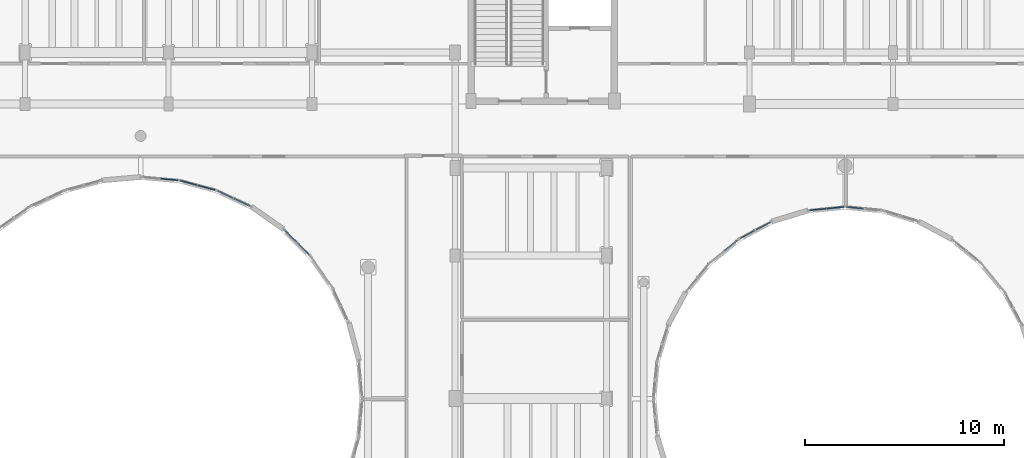
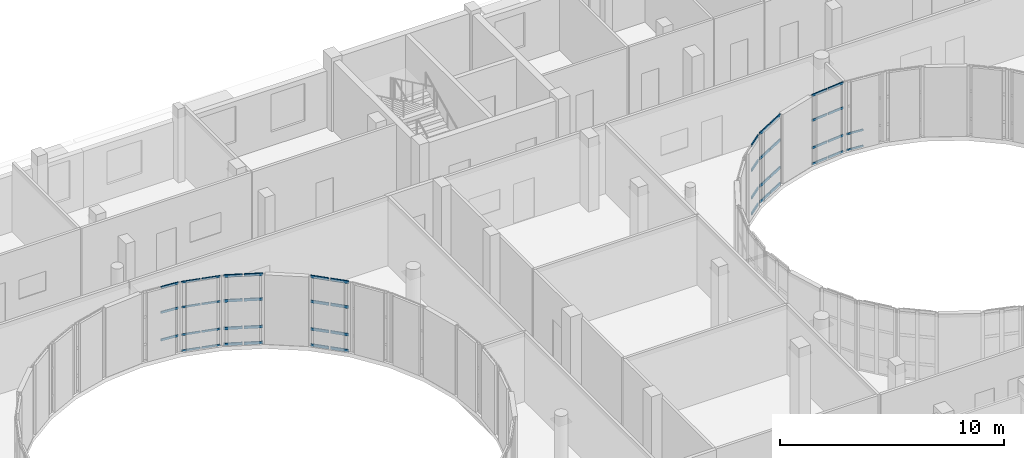
# One storey, part 59 of 105: 49 members, 8 elements without a shape of their own.
"""IFC4 building model written with IfcOpenShell, lengths in metres."""

from ifc_helpers import new_model, si_unit, direction, frame, origin, origin_2d, place, context, subcontext, project, spatial, hollow_rectangle, extrude, material, layer, layer_set, material_profile, profile_set, type_object, element, aggregate, save


model = new_model("IFC4")

# Units and contexts
model_context = context("Model", 3, precision=1e-05, world=origin(), true_north=direction((0.0, 1.0)))
body_context = subcontext(model_context, "Body", "Model", "MODEL_VIEW")
ifc_project = project(units=[si_unit("LENGTHUNIT", "METRE"), si_unit("AREAUNIT", "SQUARE_METRE"), si_unit("VOLUMEUNIT", "CUBIC_METRE"), si_unit("PLANEANGLEUNIT", "RADIAN"), si_unit("MASSUNIT", "GRAM", prefix="KILO")], contexts=[model_context])

# Site, building, storey
site_placement = place(None, origin())
site = spatial("IfcSite", under=ifc_project, at=site_placement, CompositionType="ELEMENT")
building_placement = place(site_placement, origin())
building = spatial("IfcBuilding", under=site, at=building_placement, Name="Kelanivale Promenade Academy", CompositionType="ELEMENT")
storey_placement = place(building_placement, frame((0.0, 0.0, 4.199951171875)))
storey = spatial("IfcBuildingStorey", under=building, at=storey_placement, Name="L01", CompositionType="ELEMENT", Elevation=4.199951171875)

# Curtain wall, members
ifc_material_1 = material(Name="Bronze anodised aluminium and solar-control low-E glass", Category="aluminium")
ifc_layer_1 = layer(ifc_material_1, 0.159912109375)
ifc_layer_set_1 = layer_set([ifc_layer_1], Name="Bronze anodised aluminium and solar-control low-E glass")
curtain_wall_type_1 = type_object("IfcCurtainWallType", Name="CW-09 Curtain Wall 1650mm Module", PredefinedType="USERDEFINED", material=ifc_layer_set_1)
curtain_wall_1_placement = place(storey_placement, origin())
curtain_wall_1 = element("IfcCurtainWall", 1, at=curtain_wall_1_placement, inside=storey, type_object=curtain_wall_type_1, Name="L01 courtyard curtain wall CW-09", ObjectType="UNITISED GLAZING", PredefinedType="USERDEFINED")
ifc_material_2 = material(Name="Bronze anodised aluminium EN AW-6063 T6", Category="aluminium")
ifc_material_profile_1 = material_profile(ifc_material_2, hollow_rectangle(XDim=0.050048828125, YDim=0.10009765625, WallThickness=0.0029296875, at=origin_2d()), Name="ALU 50x100x3.0")
ifc_profile_set_1 = profile_set([ifc_material_profile_1], Name="Bronze anodised aluminium EN AW-6063 T6")
member_type_1 = type_object("IfcMemberType", Name="CWT-01 ALU 50x100x3.0", PredefinedType="USERDEFINED", material=ifc_profile_set_1)
member_1_placement = place(storey_placement, frame((99.710693359375, 66.350341796875, 0.025146484375), z_axis=(-0.995145812266, 0.098411444095, 0.0), x_axis=(-0.098411444095, -0.995145812266, 0.0)))
member_1 = element("IfcMember", 2, at=member_1_placement, type_object=member_type_1, Name="CW-09 transom 2.1", ObjectType="TRANSOM", PredefinedType="USERDEFINED", context=body_context, shape_type="SweptSolid", body=[
    extrude(hollow_rectangle(XDim=0.050048828125, YDim=0.10009765625, WallThickness=0.0029296875, at=origin_2d()), origin(), (0.0, 0.0, 1.0), 0.841064453125),
])
member_2_placement = place(storey_placement, frame((99.710693359375, 66.350341796875, 0.900146484375), z_axis=(-0.995145812266, 0.098411444095, 0.0), x_axis=(-0.098411444095, -0.995145812266, 0.0)))
member_2 = element("IfcMember", 3, at=member_2_placement, type_object=member_type_1, Name="CW-09 transom 2.2", ObjectType="TRANSOM", PredefinedType="USERDEFINED", context=body_context, shape_type="SweptSolid", body=[
    extrude(hollow_rectangle(XDim=0.050048828125, YDim=0.10009765625, WallThickness=0.0029296875, at=origin_2d()), origin(), (0.0, 0.0, 1.0), 0.841064453125),
])
aggregate(curtain_wall_1, [member_1, member_2])

curtain_wall_2_placement = place(storey_placement, origin())
curtain_wall_2 = element("IfcCurtainWall", 4, at=curtain_wall_2_placement, inside=storey, type_object=curtain_wall_type_1, Name="L01 courtyard curtain wall CW-09", ObjectType="UNITISED GLAZING", PredefinedType="USERDEFINED")
member_3_placement = place(storey_placement, frame((67.14013671875, 67.28759765625, 0.025146484375), z_axis=(-0.965991939644, 0.258572180527, 0.0), x_axis=(-0.258572180527, -0.965991939644, 0.0)))
member_3 = element("IfcMember", 5, at=member_3_placement, type_object=member_type_1, Name="CW-09 transom 1.1", ObjectType="TRANSOM", PredefinedType="USERDEFINED", context=body_context, shape_type="SweptSolid", body=[
    extrude(hollow_rectangle(XDim=0.050048828125, YDim=0.10009765625, WallThickness=0.0029296875, at=origin_2d()), origin(), (0.0, 0.0, 1.0), 0.86865234375),
])
member_4_placement = place(storey_placement, frame((67.14013671875, 67.28759765625, 0.900146484375), z_axis=(-0.965991939644, 0.258572180527, 0.0), x_axis=(-0.258572180527, -0.965991939644, 0.0)))
member_4 = element("IfcMember", 6, at=member_4_placement, type_object=member_type_1, Name="CW-09 transom 1.2", ObjectType="TRANSOM", PredefinedType="USERDEFINED", context=body_context, shape_type="SweptSolid", body=[
    extrude(hollow_rectangle(XDim=0.050048828125, YDim=0.10009765625, WallThickness=0.0029296875, at=origin_2d()), origin(), (0.0, 0.0, 1.0), 0.86865234375),
])
member_5_placement = place(storey_placement, frame((67.14013671875, 67.28759765625, 2.400146484375), z_axis=(-0.965991939644, 0.258572180527, 0.0), x_axis=(-0.258572180527, -0.965991939644, 0.0)))
member_5 = element("IfcMember", 7, at=member_5_placement, type_object=member_type_1, Name="CW-09 transom 1.3", ObjectType="TRANSOM", PredefinedType="USERDEFINED", context=body_context, shape_type="SweptSolid", body=[
    extrude(hollow_rectangle(XDim=0.050048828125, YDim=0.10009765625, WallThickness=0.0029296875, at=origin_2d()), origin(), (0.0, 0.0, 1.0), 0.86865234375),
])
member_6_placement = place(storey_placement, frame((67.14013671875, 67.28759765625, 3.755126953125), z_axis=(-0.965991939644, 0.258572180527, 0.0), x_axis=(-0.258572180527, -0.965991939644, 0.0)))
member_6 = element("IfcMember", 8, at=member_6_placement, type_object=member_type_1, Name="CW-09 transom 1.4", ObjectType="TRANSOM", PredefinedType="USERDEFINED", context=body_context, shape_type="SweptSolid", body=[
    extrude(hollow_rectangle(XDim=0.050048828125, YDim=0.10009765625, WallThickness=0.0029296875, at=origin_2d()), origin(), (0.0, 0.0, 1.0), 0.86865234375),
])
member_7_placement = place(storey_placement, frame((66.242919921875, 67.52783203125, 0.025146484375), z_axis=(-0.965973140657, 0.258642400874, 0.0), x_axis=(-0.258642400874, -0.965973140657, 0.0)))
member_7 = element("IfcMember", 9, at=member_7_placement, type_object=member_type_1, Name="CW-09 transom 2.1", ObjectType="TRANSOM", PredefinedType="USERDEFINED", context=body_context, shape_type="SweptSolid", body=[
    extrude(hollow_rectangle(XDim=0.050048828125, YDim=0.10009765625, WallThickness=0.0029296875, at=origin_2d()), origin(), (0.0, 0.0, 1.0), 0.868408203125),
])
member_8_placement = place(storey_placement, frame((66.242919921875, 67.52783203125, 0.900146484375), z_axis=(-0.965973140657, 0.258642400874, 0.0), x_axis=(-0.258642400874, -0.965973140657, 0.0)))
member_8 = element("IfcMember", 10, at=member_8_placement, type_object=member_type_1, Name="CW-09 transom 2.2", ObjectType="TRANSOM", PredefinedType="USERDEFINED", context=body_context, shape_type="SweptSolid", body=[
    extrude(hollow_rectangle(XDim=0.050048828125, YDim=0.10009765625, WallThickness=0.0029296875, at=origin_2d()), origin(), (0.0, 0.0, 1.0), 0.868408203125),
])
member_9_placement = place(storey_placement, frame((66.242919921875, 67.52783203125, 2.400146484375), z_axis=(-0.965973140657, 0.258642400874, 0.0), x_axis=(-0.258642400874, -0.965973140657, 0.0)))
member_9 = element("IfcMember", 11, at=member_9_placement, type_object=member_type_1, Name="CW-09 transom 2.3", ObjectType="TRANSOM", PredefinedType="USERDEFINED", context=body_context, shape_type="SweptSolid", body=[
    extrude(hollow_rectangle(XDim=0.050048828125, YDim=0.10009765625, WallThickness=0.0029296875, at=origin_2d()), origin(), (0.0, 0.0, 1.0), 0.868408203125),
])
member_10_placement = place(storey_placement, frame((66.242919921875, 67.52783203125, 3.755126953125), z_axis=(-0.965973140657, 0.258642400874, 0.0), x_axis=(-0.258642400874, -0.965973140657, 0.0)))
member_10 = element("IfcMember", 12, at=member_10_placement, type_object=member_type_1, Name="CW-09 transom 2.4", ObjectType="TRANSOM", PredefinedType="USERDEFINED", context=body_context, shape_type="SweptSolid", body=[
    extrude(hollow_rectangle(XDim=0.050048828125, YDim=0.10009765625, WallThickness=0.0029296875, at=origin_2d()), origin(), (0.0, 0.0, 1.0), 0.868408203125),
])
aggregate(curtain_wall_2, [member_3, member_4, member_5, member_6, member_7, member_8, member_9, member_10])

ifc_layer_2 = layer(ifc_material_1, 0.169921875)
ifc_layer_set_2 = layer_set([ifc_layer_2], Name="Bronze anodised aluminium and solar-control low-E glass")
curtain_wall_type_2 = type_object("IfcCurtainWallType", Name="CW-10 Curtain Wall 1800mm Module", PredefinedType="USERDEFINED", material=ifc_layer_set_2)
curtain_wall_3_placement = place(storey_placement, origin())
curtain_wall_3 = element("IfcCurtainWall", 13, at=curtain_wall_3_placement, inside=storey, type_object=curtain_wall_type_2, Name="L01 courtyard curtain wall CW-10", ObjectType="UNITISED GLAZING", PredefinedType="USERDEFINED")
ifc_material_profile_2 = material_profile(ifc_material_2, hollow_rectangle(XDim=0.050048828125, YDim=0.1201171875, WallThickness=0.0029296875, at=origin_2d()), Name="ALU 50x120x3.0")
ifc_profile_set_2 = profile_set([ifc_material_profile_2], Name="Bronze anodised aluminium EN AW-6063 T6")
member_type_2 = type_object("IfcMemberType", Name="CWT-02 ALU 50x120x3.0", PredefinedType="USERDEFINED", material=ifc_profile_set_2)
member_11_placement = place(storey_placement, frame((98.726318359375, 66.43310546875, 0.025146484375), z_axis=(-0.995143929023, -0.098430485767, 0.0), x_axis=(0.098430485767, -0.995143929023, 0.0)))
member_11 = element("IfcMember", 14, at=member_11_placement, type_object=member_type_2, Name="CW-10 transom 1.1", ObjectType="TRANSOM", PredefinedType="USERDEFINED", context=body_context, shape_type="SweptSolid", body=[
    extrude(hollow_rectangle(XDim=0.050048828125, YDim=0.1201171875, WallThickness=0.0029296875, at=origin_2d()), origin(), (0.0, 0.0, 1.0), 0.83349609375),
])
member_12_placement = place(storey_placement, frame((98.726318359375, 66.43310546875, 0.900146484375), z_axis=(-0.995143929023, -0.098430485767, 0.0), x_axis=(0.098430485767, -0.995143929023, 0.0)))
member_12 = element("IfcMember", 15, at=member_12_placement, type_object=member_type_2, Name="CW-10 transom 1.2", ObjectType="TRANSOM", PredefinedType="USERDEFINED", context=body_context, shape_type="SweptSolid", body=[
    extrude(hollow_rectangle(XDim=0.050048828125, YDim=0.1201171875, WallThickness=0.0029296875, at=origin_2d()), origin(), (0.0, 0.0, 1.0), 0.83349609375),
])
member_13_placement = place(storey_placement, frame((98.726318359375, 66.43310546875, 2.400146484375), z_axis=(-0.995143929023, -0.098430485767, 0.0), x_axis=(0.098430485767, -0.995143929023, 0.0)))
member_13 = element("IfcMember", 16, at=member_13_placement, type_object=member_type_2, Name="CW-10 transom 1.3", ObjectType="TRANSOM", PredefinedType="USERDEFINED", context=body_context, shape_type="SweptSolid", body=[
    extrude(hollow_rectangle(XDim=0.050048828125, YDim=0.1201171875, WallThickness=0.0029296875, at=origin_2d()), origin(), (0.0, 0.0, 1.0), 0.83349609375),
])
member_14_placement = place(storey_placement, frame((98.726318359375, 66.43310546875, 3.755126953125), z_axis=(-0.995143929023, -0.098430485767, 0.0), x_axis=(0.098430485767, -0.995143929023, 0.0)))
member_14 = element("IfcMember", 17, at=member_14_placement, type_object=member_type_2, Name="CW-10 transom 1.4", ObjectType="TRANSOM", PredefinedType="USERDEFINED", context=body_context, shape_type="SweptSolid", body=[
    extrude(hollow_rectangle(XDim=0.050048828125, YDim=0.1201171875, WallThickness=0.0029296875, at=origin_2d()), origin(), (0.0, 0.0, 1.0), 0.83349609375),
])
member_15_placement = place(storey_placement, frame((97.837158203125, 66.344970703125, 0.025146484375), z_axis=(-0.995143929023, -0.098430485767, 0.0), x_axis=(0.098430485767, -0.995143929023, 0.0)))
member_15 = element("IfcMember", 18, at=member_15_placement, type_object=member_type_2, Name="CW-10 transom 2.1", ObjectType="TRANSOM", PredefinedType="USERDEFINED", context=body_context, shape_type="SweptSolid", body=[
    extrude(hollow_rectangle(XDim=0.050048828125, YDim=0.1201171875, WallThickness=0.0029296875, at=origin_2d()), origin(), (0.0, 0.0, 1.0), 0.83349609375),
])
member_16_placement = place(storey_placement, frame((97.837158203125, 66.344970703125, 0.900146484375), z_axis=(-0.995143929023, -0.098430485767, 0.0), x_axis=(0.098430485767, -0.995143929023, 0.0)))
member_16 = element("IfcMember", 19, at=member_16_placement, type_object=member_type_2, Name="CW-10 transom 2.2", ObjectType="TRANSOM", PredefinedType="USERDEFINED", context=body_context, shape_type="SweptSolid", body=[
    extrude(hollow_rectangle(XDim=0.050048828125, YDim=0.1201171875, WallThickness=0.0029296875, at=origin_2d()), origin(), (0.0, 0.0, 1.0), 0.83349609375),
])
member_17_placement = place(storey_placement, frame((97.837158203125, 66.344970703125, 2.400146484375), z_axis=(-0.995143929023, -0.098430485767, 0.0), x_axis=(0.098430485767, -0.995143929023, 0.0)))
member_17 = element("IfcMember", 20, at=member_17_placement, type_object=member_type_2, Name="CW-10 transom 2.3", ObjectType="TRANSOM", PredefinedType="USERDEFINED", context=body_context, shape_type="SweptSolid", body=[
    extrude(hollow_rectangle(XDim=0.050048828125, YDim=0.1201171875, WallThickness=0.0029296875, at=origin_2d()), origin(), (0.0, 0.0, 1.0), 0.83349609375),
])
member_18_placement = place(storey_placement, frame((97.837158203125, 66.344970703125, 3.755126953125), z_axis=(-0.995143929023, -0.098430485767, 0.0), x_axis=(0.098430485767, -0.995143929023, 0.0)))
member_18 = element("IfcMember", 21, at=member_18_placement, type_object=member_type_2, Name="CW-10 transom 2.4", ObjectType="TRANSOM", PredefinedType="USERDEFINED", context=body_context, shape_type="SweptSolid", body=[
    extrude(hollow_rectangle(XDim=0.050048828125, YDim=0.1201171875, WallThickness=0.0029296875, at=origin_2d()), origin(), (0.0, 0.0, 1.0), 0.83349609375),
])
aggregate(curtain_wall_3, [member_11, member_12, member_13, member_14, member_15, member_16, member_17, member_18])

curtain_wall_4_placement = place(storey_placement, origin())
curtain_wall_4 = element("IfcCurtainWall", 22, at=curtain_wall_4_placement, inside=storey, type_object=curtain_wall_type_2, Name="L01 courtyard curtain wall CW-10", ObjectType="UNITISED GLAZING", PredefinedType="USERDEFINED")
member_19_placement = place(storey_placement, frame((65.26220703125, 67.77734375, 0.900146484375), z_axis=(-0.996205401814, 0.087033311997, 0.0), x_axis=(-0.087033311997, -0.996205401814, 0.0)))
member_19 = element("IfcMember", 23, at=member_19_placement, type_object=member_type_2, Name="CW-10 transom 1.2", ObjectType="TRANSOM", PredefinedType="USERDEFINED", context=body_context, shape_type="SweptSolid", body=[
    extrude(hollow_rectangle(XDim=0.050048828125, YDim=0.1201171875, WallThickness=0.0029296875, at=origin_2d()), origin(), (0.0, 0.0, 1.0), 0.861083984375),
])
member_20_placement = place(storey_placement, frame((65.26220703125, 67.77734375, 2.400146484375), z_axis=(-0.996205401814, 0.087033311997, 0.0), x_axis=(-0.087033311997, -0.996205401814, 0.0)))
member_20 = element("IfcMember", 24, at=member_20_placement, type_object=member_type_2, Name="CW-10 transom 1.3", ObjectType="TRANSOM", PredefinedType="USERDEFINED", context=body_context, shape_type="SweptSolid", body=[
    extrude(hollow_rectangle(XDim=0.050048828125, YDim=0.1201171875, WallThickness=0.0029296875, at=origin_2d()), origin(), (0.0, 0.0, 1.0), 0.861083984375),
])
member_21_placement = place(storey_placement, frame((65.26220703125, 67.77734375, 3.755126953125), z_axis=(-0.996205401814, 0.087033311997, 0.0), x_axis=(-0.087033311997, -0.996205401814, 0.0)))
member_21 = element("IfcMember", 25, at=member_21_placement, type_object=member_type_2, Name="CW-10 transom 1.4", ObjectType="TRANSOM", PredefinedType="USERDEFINED", context=body_context, shape_type="SweptSolid", body=[
    extrude(hollow_rectangle(XDim=0.050048828125, YDim=0.1201171875, WallThickness=0.0029296875, at=origin_2d()), origin(), (0.0, 0.0, 1.0), 0.861083984375),
])
aggregate(curtain_wall_4, [member_19, member_20, member_21])

ifc_layer_3 = layer(ifc_material_1, 0.179931640625)
ifc_layer_set_3 = layer_set([ifc_layer_3], Name="Bronze anodised aluminium and solar-control low-E glass")
curtain_wall_type_3 = type_object("IfcCurtainWallType", Name="CW-11 Curtain Wall 1950mm Module", PredefinedType="USERDEFINED", material=ifc_layer_set_3)
curtain_wall_5_placement = place(storey_placement, origin())
curtain_wall_5 = element("IfcCurtainWall", 26, at=curtain_wall_5_placement, inside=storey, type_object=curtain_wall_type_3, Name="L01 courtyard curtain wall CW-11", ObjectType="UNITISED GLAZING", PredefinedType="USERDEFINED")
ifc_material_profile_3 = material_profile(ifc_material_2, hollow_rectangle(XDim=0.050048828125, YDim=0.14990234375, WallThickness=0.00341796875, at=origin_2d()), Name="ALU 50x150x3.5")
ifc_profile_set_3 = profile_set([ifc_material_profile_3], Name="Bronze anodised aluminium EN AW-6063 T6")
member_type_3 = type_object("IfcMemberType", Name="CWT-03 ALU 50x150x3.5", PredefinedType="USERDEFINED", material=ifc_profile_set_3)
member_22_placement = place(storey_placement, frame((95.028564453125, 65.662353515625, 0.025146484375), z_axis=(-0.881927434659, -0.471385192805, 0.0), x_axis=(0.471385192805, -0.881927434659, 0.0)))
member_22 = element("IfcMember", 27, at=member_22_placement, type_object=member_type_3, Name="CW-11 transom 1.1", ObjectType="TRANSOM", PredefinedType="USERDEFINED", context=body_context, shape_type="SweptSolid", body=[
    extrude(hollow_rectangle(XDim=0.050048828125, YDim=0.14990234375, WallThickness=0.00341796875, at=origin_2d()), origin(), (0.0, 0.0, 1.0), 0.82666015625),
])
member_23_placement = place(storey_placement, frame((95.028564453125, 65.662353515625, 0.900146484375), z_axis=(-0.881927434659, -0.471385192805, 0.0), x_axis=(0.471385192805, -0.881927434659, 0.0)))
member_23 = element("IfcMember", 28, at=member_23_placement, type_object=member_type_3, Name="CW-11 transom 1.2", ObjectType="TRANSOM", PredefinedType="USERDEFINED", context=body_context, shape_type="SweptSolid", body=[
    extrude(hollow_rectangle(XDim=0.050048828125, YDim=0.14990234375, WallThickness=0.00341796875, at=origin_2d()), origin(), (0.0, 0.0, 1.0), 0.82666015625),
])
member_24_placement = place(storey_placement, frame((95.028564453125, 65.662353515625, 2.400146484375), z_axis=(-0.881927434659, -0.471385192805, 0.0), x_axis=(0.471385192805, -0.881927434659, 0.0)))
member_24 = element("IfcMember", 29, at=member_24_placement, type_object=member_type_3, Name="CW-11 transom 1.3", ObjectType="TRANSOM", PredefinedType="USERDEFINED", context=body_context, shape_type="SweptSolid", body=[
    extrude(hollow_rectangle(XDim=0.050048828125, YDim=0.14990234375, WallThickness=0.00341796875, at=origin_2d()), origin(), (0.0, 0.0, 1.0), 0.82666015625),
])
member_25_placement = place(storey_placement, frame((95.028564453125, 65.662353515625, 3.755126953125), z_axis=(-0.881927434659, -0.471385192805, 0.0), x_axis=(0.471385192805, -0.881927434659, 0.0)))
member_25 = element("IfcMember", 30, at=member_25_placement, type_object=member_type_3, Name="CW-11 transom 1.4", ObjectType="TRANSOM", PredefinedType="USERDEFINED", context=body_context, shape_type="SweptSolid", body=[
    extrude(hollow_rectangle(XDim=0.050048828125, YDim=0.14990234375, WallThickness=0.00341796875, at=origin_2d()), origin(), (0.0, 0.0, 1.0), 0.82666015625),
])
member_26_placement = place(storey_placement, frame((94.242431640625, 65.2421875, 0.025146484375), z_axis=(-0.881927434659, -0.471385192805, 0.0), x_axis=(0.471385192805, -0.881927434659, 0.0)))
member_26 = element("IfcMember", 31, at=member_26_placement, type_object=member_type_3, Name="CW-11 transom 2.1", ObjectType="TRANSOM", PredefinedType="USERDEFINED", context=body_context, shape_type="SweptSolid", body=[
    extrude(hollow_rectangle(XDim=0.050048828125, YDim=0.14990234375, WallThickness=0.00341796875, at=origin_2d()), origin(), (0.0, 0.0, 1.0), 0.82666015625),
])
member_27_placement = place(storey_placement, frame((94.242431640625, 65.2421875, 0.900146484375), z_axis=(-0.881927434659, -0.471385192805, 0.0), x_axis=(0.471385192805, -0.881927434659, 0.0)))
member_27 = element("IfcMember", 32, at=member_27_placement, type_object=member_type_3, Name="CW-11 transom 2.2", ObjectType="TRANSOM", PredefinedType="USERDEFINED", context=body_context, shape_type="SweptSolid", body=[
    extrude(hollow_rectangle(XDim=0.050048828125, YDim=0.14990234375, WallThickness=0.00341796875, at=origin_2d()), origin(), (0.0, 0.0, 1.0), 0.82666015625),
])
member_28_placement = place(storey_placement, frame((94.242431640625, 65.2421875, 2.400146484375), z_axis=(-0.881927434659, -0.471385192805, 0.0), x_axis=(0.471385192805, -0.881927434659, 0.0)))
member_28 = element("IfcMember", 33, at=member_28_placement, type_object=member_type_3, Name="CW-11 transom 2.3", ObjectType="TRANSOM", PredefinedType="USERDEFINED", context=body_context, shape_type="SweptSolid", body=[
    extrude(hollow_rectangle(XDim=0.050048828125, YDim=0.14990234375, WallThickness=0.00341796875, at=origin_2d()), origin(), (0.0, 0.0, 1.0), 0.82666015625),
])
member_29_placement = place(storey_placement, frame((94.242431640625, 65.2421875, 3.755126953125), z_axis=(-0.881927434659, -0.471385192805, 0.0), x_axis=(0.471385192805, -0.881927434659, 0.0)))
member_29 = element("IfcMember", 34, at=member_29_placement, type_object=member_type_3, Name="CW-11 transom 2.4", ObjectType="TRANSOM", PredefinedType="USERDEFINED", context=body_context, shape_type="SweptSolid", body=[
    extrude(hollow_rectangle(XDim=0.050048828125, YDim=0.14990234375, WallThickness=0.00341796875, at=origin_2d()), origin(), (0.0, 0.0, 1.0), 0.82666015625),
])
aggregate(curtain_wall_5, [member_22, member_23, member_24, member_25, member_26, member_27, member_28, member_29])

ifc_layer_4 = layer(ifc_material_1, 0.169921875)
ifc_layer_set_4 = layer_set([ifc_layer_4], Name="Bronze anodised aluminium and solar-control low-E glass")
curtain_wall_type_4 = type_object("IfcCurtainWallType", Name="CW-07 Curtain Wall 1350mm Module", PredefinedType="USERDEFINED", material=ifc_layer_set_4)
curtain_wall_6_placement = place(storey_placement, origin())
curtain_wall_6 = element("IfcCurtainWall", 35, at=curtain_wall_6_placement, inside=storey, type_object=curtain_wall_type_4, Name="L01 courtyard curtain wall CW-07", ObjectType="UNITISED GLAZING", PredefinedType="USERDEFINED")
member_30_placement = place(storey_placement, frame((71.879150390625, 64.015869140625, 0.025146484375), z_axis=(-0.707106781187, 0.707106781187, 0.0), x_axis=(-0.707106781187, -0.707106781187, 0.0)))
member_30 = element("IfcMember", 36, at=member_30_placement, type_object=member_type_3, Name="CW-07 transom 1.1", ObjectType="TRANSOM", PredefinedType="USERDEFINED", context=body_context, shape_type="SweptSolid", body=[
    extrude(hollow_rectangle(XDim=0.050048828125, YDim=0.14990234375, WallThickness=0.00341796875, at=origin_2d()), origin(), (0.0, 0.0, 1.0), 0.853271484375),
])
member_31_placement = place(storey_placement, frame((71.879150390625, 64.015869140625, 0.900146484375), z_axis=(-0.707106781187, 0.707106781187, 0.0), x_axis=(-0.707106781187, -0.707106781187, 0.0)))
member_31 = element("IfcMember", 37, at=member_31_placement, type_object=member_type_3, Name="CW-07 transom 1.2", ObjectType="TRANSOM", PredefinedType="USERDEFINED", context=body_context, shape_type="SweptSolid", body=[
    extrude(hollow_rectangle(XDim=0.050048828125, YDim=0.14990234375, WallThickness=0.00341796875, at=origin_2d()), origin(), (0.0, 0.0, 1.0), 0.853271484375),
])
member_32_placement = place(storey_placement, frame((71.879150390625, 64.015869140625, 2.400146484375), z_axis=(-0.707106781187, 0.707106781187, 0.0), x_axis=(-0.707106781187, -0.707106781187, 0.0)))
member_32 = element("IfcMember", 38, at=member_32_placement, type_object=member_type_3, Name="CW-07 transom 1.3", ObjectType="TRANSOM", PredefinedType="USERDEFINED", context=body_context, shape_type="SweptSolid", body=[
    extrude(hollow_rectangle(XDim=0.050048828125, YDim=0.14990234375, WallThickness=0.00341796875, at=origin_2d()), origin(), (0.0, 0.0, 1.0), 0.853271484375),
])
member_33_placement = place(storey_placement, frame((71.879150390625, 64.015869140625, 3.755126953125), z_axis=(-0.707106781187, 0.707106781187, 0.0), x_axis=(-0.707106781187, -0.707106781187, 0.0)))
member_33 = element("IfcMember", 39, at=member_33_placement, type_object=member_type_3, Name="CW-07 transom 1.4", ObjectType="TRANSOM", PredefinedType="USERDEFINED", context=body_context, shape_type="SweptSolid", body=[
    extrude(hollow_rectangle(XDim=0.050048828125, YDim=0.14990234375, WallThickness=0.00341796875, at=origin_2d()), origin(), (0.0, 0.0, 1.0), 0.853271484375),
])
member_34_placement = place(storey_placement, frame((71.22998046875, 64.6650390625, 0.025146484375), z_axis=(-0.707106781187, 0.707106781187, 0.0), x_axis=(-0.707106781187, -0.707106781187, 0.0)))
member_34 = element("IfcMember", 40, at=member_34_placement, type_object=member_type_3, Name="CW-07 transom 2.1", ObjectType="TRANSOM", PredefinedType="USERDEFINED", context=body_context, shape_type="SweptSolid", body=[
    extrude(hollow_rectangle(XDim=0.050048828125, YDim=0.14990234375, WallThickness=0.00341796875, at=origin_2d()), origin(), (0.0, 0.0, 1.0), 0.852783203125),
])
member_35_placement = place(storey_placement, frame((71.22998046875, 64.6650390625, 0.900146484375), z_axis=(-0.707106781187, 0.707106781187, 0.0), x_axis=(-0.707106781187, -0.707106781187, 0.0)))
member_35 = element("IfcMember", 41, at=member_35_placement, type_object=member_type_3, Name="CW-07 transom 2.2", ObjectType="TRANSOM", PredefinedType="USERDEFINED", context=body_context, shape_type="SweptSolid", body=[
    extrude(hollow_rectangle(XDim=0.050048828125, YDim=0.14990234375, WallThickness=0.00341796875, at=origin_2d()), origin(), (0.0, 0.0, 1.0), 0.852783203125),
])
member_36_placement = place(storey_placement, frame((71.22998046875, 64.6650390625, 2.400146484375), z_axis=(-0.707106781187, 0.707106781187, 0.0), x_axis=(-0.707106781187, -0.707106781187, 0.0)))
member_36 = element("IfcMember", 42, at=member_36_placement, type_object=member_type_3, Name="CW-07 transom 2.3", ObjectType="TRANSOM", PredefinedType="USERDEFINED", context=body_context, shape_type="SweptSolid", body=[
    extrude(hollow_rectangle(XDim=0.050048828125, YDim=0.14990234375, WallThickness=0.00341796875, at=origin_2d()), origin(), (0.0, 0.0, 1.0), 0.852783203125),
])
member_37_placement = place(storey_placement, frame((71.22998046875, 64.6650390625, 3.755126953125), z_axis=(-0.707106781187, 0.707106781187, 0.0), x_axis=(-0.707106781187, -0.707106781187, 0.0)))
member_37 = element("IfcMember", 43, at=member_37_placement, type_object=member_type_3, Name="CW-07 transom 2.4", ObjectType="TRANSOM", PredefinedType="USERDEFINED", context=body_context, shape_type="SweptSolid", body=[
    extrude(hollow_rectangle(XDim=0.050048828125, YDim=0.14990234375, WallThickness=0.00341796875, at=origin_2d()), origin(), (0.0, 0.0, 1.0), 0.852783203125),
])
aggregate(curtain_wall_6, [member_30, member_31, member_32, member_33, member_34, member_35, member_36, member_37])

ifc_layer_5 = layer(ifc_material_1, 0.159912109375)
ifc_layer_set_5 = layer_set([ifc_layer_5], Name="Bronze anodised aluminium and solar-control low-E glass")
curtain_wall_type_5 = type_object("IfcCurtainWallType", Name="CW-12 Curtain Wall 1200mm Module", PredefinedType="USERDEFINED", material=ifc_layer_set_5)
curtain_wall_7_placement = place(storey_placement, origin())
curtain_wall_7 = element("IfcCurtainWall", 44, at=curtain_wall_7_placement, inside=storey, type_object=curtain_wall_type_5, Name="L01 courtyard curtain wall CW-12", ObjectType="UNITISED GLAZING", PredefinedType="USERDEFINED")
ifc_material_profile_4 = material_profile(ifc_material_2, hollow_rectangle(XDim=0.06005859375, YDim=0.139892578125, WallThickness=0.00341796875, at=origin_2d()), Name="ALU 60x140x3.5")
ifc_profile_set_4 = profile_set([ifc_material_profile_4], Name="Bronze anodised aluminium EN AW-6063 T6")
member_type_4 = type_object("IfcMemberType", Name="CWT-04 ALU 60x140x3.5", PredefinedType="USERDEFINED", material=ifc_profile_set_4)
member_38_placement = place(storey_placement, frame((93.3828125, 64.765869140625, 0.030029296875), z_axis=(-0.773213238462, -0.634146109242, 0.0), x_axis=(0.634146109242, -0.773213238462, 0.0)))
member_38 = element("IfcMember", 45, at=member_38_placement, type_object=member_type_4, Name="CW-12 transom 1.1", ObjectType="TRANSOM", PredefinedType="USERDEFINED", context=body_context, shape_type="SweptSolid", body=[
    extrude(hollow_rectangle(XDim=0.06005859375, YDim=0.139892578125, WallThickness=0.00341796875, at=origin_2d()), origin(), (0.0, 0.0, 1.0), 0.833984375),
])
member_39_placement = place(storey_placement, frame((93.3828125, 64.765869140625, 0.900146484375), z_axis=(-0.773213238462, -0.634146109242, 0.0), x_axis=(0.634146109242, -0.773213238462, 0.0)))
member_39 = element("IfcMember", 46, at=member_39_placement, type_object=member_type_4, Name="CW-12 transom 1.2", ObjectType="TRANSOM", PredefinedType="USERDEFINED", context=body_context, shape_type="SweptSolid", body=[
    extrude(hollow_rectangle(XDim=0.06005859375, YDim=0.139892578125, WallThickness=0.00341796875, at=origin_2d()), origin(), (0.0, 0.0, 1.0), 0.833984375),
])
member_40_placement = place(storey_placement, frame((93.3828125, 64.765869140625, 2.400146484375), z_axis=(-0.773213238462, -0.634146109242, 0.0), x_axis=(0.634146109242, -0.773213238462, 0.0)))
member_40 = element("IfcMember", 47, at=member_40_placement, type_object=member_type_4, Name="CW-12 transom 1.3", ObjectType="TRANSOM", PredefinedType="USERDEFINED", context=body_context, shape_type="SweptSolid", body=[
    extrude(hollow_rectangle(XDim=0.06005859375, YDim=0.139892578125, WallThickness=0.00341796875, at=origin_2d()), origin(), (0.0, 0.0, 1.0), 0.833984375),
])
member_41_placement = place(storey_placement, frame((93.3828125, 64.765869140625, 3.75), z_axis=(-0.773213238462, -0.634146109242, 0.0), x_axis=(0.634146109242, -0.773213238462, 0.0)))
member_41 = element("IfcMember", 48, at=member_41_placement, type_object=member_type_4, Name="CW-12 transom 1.4", ObjectType="TRANSOM", PredefinedType="USERDEFINED", context=body_context, shape_type="SweptSolid", body=[
    extrude(hollow_rectangle(XDim=0.06005859375, YDim=0.139892578125, WallThickness=0.00341796875, at=origin_2d()), origin(), (0.0, 0.0, 1.0), 0.833984375),
])
aggregate(curtain_wall_7, [member_38, member_39, member_40, member_41])

ifc_layer_6 = layer(ifc_material_1, 0.179931640625)
ifc_layer_set_6 = layer_set([ifc_layer_6], Name="Bronze anodised aluminium and solar-control low-E glass")
curtain_wall_type_6 = type_object("IfcCurtainWallType", Name="CW-08 Curtain Wall 1500mm Module", PredefinedType="USERDEFINED", material=ifc_layer_set_6)
curtain_wall_8_placement = place(storey_placement, origin())
curtain_wall_8 = element("IfcCurtainWall", 49, at=curtain_wall_8_placement, inside=storey, type_object=curtain_wall_type_6, Name="L01 courtyard curtain wall CW-08", ObjectType="UNITISED GLAZING", PredefinedType="USERDEFINED")
member_42_placement = place(storey_placement, frame((68.885986328125, 66.486572265625, 0.030029296875), z_axis=(-0.906117364879, 0.423026383414, 0.0), x_axis=(-0.423026383414, -0.906117364879, 0.0)))
member_42 = element("IfcMember", 50, at=member_42_placement, type_object=member_type_4, Name="CW-08 transom 1.1", ObjectType="TRANSOM", PredefinedType="USERDEFINED", context=body_context, shape_type="SweptSolid", body=[
    extrude(hollow_rectangle(XDim=0.06005859375, YDim=0.139892578125, WallThickness=0.00341796875, at=origin_2d()), origin(), (0.0, 0.0, 1.0), 0.853515625),
])
member_43_placement = place(storey_placement, frame((68.885986328125, 66.486572265625, 0.900146484375), z_axis=(-0.906117364879, 0.423026383414, 0.0), x_axis=(-0.423026383414, -0.906117364879, 0.0)))
member_43 = element("IfcMember", 51, at=member_43_placement, type_object=member_type_4, Name="CW-08 transom 1.2", ObjectType="TRANSOM", PredefinedType="USERDEFINED", context=body_context, shape_type="SweptSolid", body=[
    extrude(hollow_rectangle(XDim=0.06005859375, YDim=0.139892578125, WallThickness=0.00341796875, at=origin_2d()), origin(), (0.0, 0.0, 1.0), 0.853515625),
])
member_44_placement = place(storey_placement, frame((68.885986328125, 66.486572265625, 2.400146484375), z_axis=(-0.906117364879, 0.423026383414, 0.0), x_axis=(-0.423026383414, -0.906117364879, 0.0)))
member_44 = element("IfcMember", 52, at=member_44_placement, type_object=member_type_4, Name="CW-08 transom 1.3", ObjectType="TRANSOM", PredefinedType="USERDEFINED", context=body_context, shape_type="SweptSolid", body=[
    extrude(hollow_rectangle(XDim=0.06005859375, YDim=0.139892578125, WallThickness=0.00341796875, at=origin_2d()), origin(), (0.0, 0.0, 1.0), 0.853515625),
])
member_45_placement = place(storey_placement, frame((68.885986328125, 66.486572265625, 3.75), z_axis=(-0.906117364879, 0.423026383414, 0.0), x_axis=(-0.423026383414, -0.906117364879, 0.0)))
member_45 = element("IfcMember", 53, at=member_45_placement, type_object=member_type_4, Name="CW-08 transom 1.4", ObjectType="TRANSOM", PredefinedType="USERDEFINED", context=body_context, shape_type="SweptSolid", body=[
    extrude(hollow_rectangle(XDim=0.06005859375, YDim=0.139892578125, WallThickness=0.00341796875, at=origin_2d()), origin(), (0.0, 0.0, 1.0), 0.853515625),
])
member_46_placement = place(storey_placement, frame((68.053466796875, 66.875244140625, 0.030029296875), z_axis=(-0.906058926949, 0.423151534201, 0.0), x_axis=(-0.423151534201, -0.906058926949, 0.0)))
member_46 = element("IfcMember", 54, at=member_46_placement, type_object=member_type_4, Name="CW-08 transom 2.1", ObjectType="TRANSOM", PredefinedType="USERDEFINED", context=body_context, shape_type="SweptSolid", body=[
    extrude(hollow_rectangle(XDim=0.06005859375, YDim=0.139892578125, WallThickness=0.00341796875, at=origin_2d()), origin(), (0.0, 0.0, 1.0), 0.85400390625),
])
member_47_placement = place(storey_placement, frame((68.053466796875, 66.875244140625, 0.900146484375), z_axis=(-0.906058926949, 0.423151534201, 0.0), x_axis=(-0.423151534201, -0.906058926949, 0.0)))
member_47 = element("IfcMember", 55, at=member_47_placement, type_object=member_type_4, Name="CW-08 transom 2.2", ObjectType="TRANSOM", PredefinedType="USERDEFINED", context=body_context, shape_type="SweptSolid", body=[
    extrude(hollow_rectangle(XDim=0.06005859375, YDim=0.139892578125, WallThickness=0.00341796875, at=origin_2d()), origin(), (0.0, 0.0, 1.0), 0.85400390625),
])
member_48_placement = place(storey_placement, frame((68.053466796875, 66.875244140625, 2.400146484375), z_axis=(-0.906058926949, 0.423151534201, 0.0), x_axis=(-0.423151534201, -0.906058926949, 0.0)))
member_48 = element("IfcMember", 56, at=member_48_placement, type_object=member_type_4, Name="CW-08 transom 2.3", ObjectType="TRANSOM", PredefinedType="USERDEFINED", context=body_context, shape_type="SweptSolid", body=[
    extrude(hollow_rectangle(XDim=0.06005859375, YDim=0.139892578125, WallThickness=0.00341796875, at=origin_2d()), origin(), (0.0, 0.0, 1.0), 0.85400390625),
])
member_49_placement = place(storey_placement, frame((68.053466796875, 66.875244140625, 3.75), z_axis=(-0.906058926949, 0.423151534201, 0.0), x_axis=(-0.423151534201, -0.906058926949, 0.0)))
member_49 = element("IfcMember", 57, at=member_49_placement, type_object=member_type_4, Name="CW-08 transom 2.4", ObjectType="TRANSOM", PredefinedType="USERDEFINED", context=body_context, shape_type="SweptSolid", body=[
    extrude(hollow_rectangle(XDim=0.06005859375, YDim=0.139892578125, WallThickness=0.00341796875, at=origin_2d()), origin(), (0.0, 0.0, 1.0), 0.85400390625),
])
aggregate(curtain_wall_8, [member_42, member_43, member_44, member_45, member_46, member_47, member_48, member_49])

save(model, "model.ifc")
